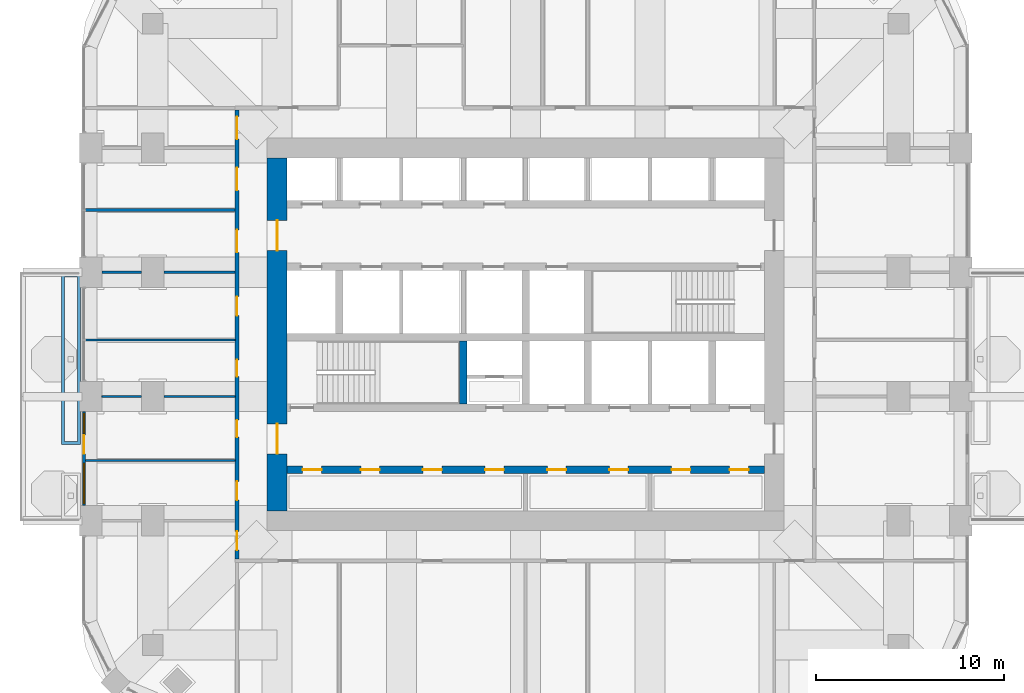
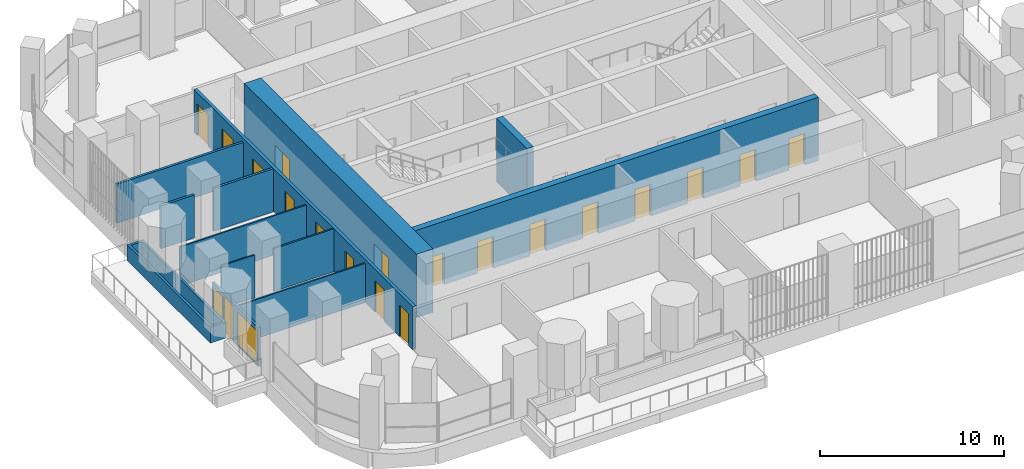
# One storey, part 12 of 20: 19 doors, 13 walls, 2 windows, 21 openings.
"""IFC4 building model written with IfcOpenShell, lengths in metres."""

from ifc_helpers import new_model, si_unit, direction, frame, frame_2d, origin, place, context, subcontext, project, spatial, polyline, rectangle, outline, extrude, material, layer, layer_set, type_object, element, fill, save


model = new_model("IFC4")

# Units and contexts
model_context = context("Model", 3, precision=1e-05, world=origin(), true_north=direction((0.0, 1.0)))
body_context = subcontext(model_context, "Body", "Model", "MODEL_VIEW")
ifc_project = project(units=[si_unit("LENGTHUNIT", "METRE"), si_unit("AREAUNIT", "SQUARE_METRE"), si_unit("VOLUMEUNIT", "CUBIC_METRE"), si_unit("PLANEANGLEUNIT", "RADIAN"), si_unit("MASSUNIT", "GRAM", prefix="KILO")], contexts=[model_context])

# Site, building, storey
site_placement = place(None, origin())
site = spatial("IfcSite", under=ifc_project, at=site_placement, CompositionType="ELEMENT")
building_placement = place(site_placement, origin())
building = spatial("IfcBuilding", under=site, at=building_placement, Name="Cobogo Forest Laboratory Tower", CompositionType="ELEMENT")
storey_placement = place(building_placement, frame((0.0, 0.0, 210.300048828125)))
storey = spatial("IfcBuildingStorey", under=building, at=storey_placement, Name="L48", CompositionType="ELEMENT", Elevation=210.300048828125)

# Wall, openings, doors
ifc_material_1 = material(Name="Concrete HA-50 (C50/60)", Category="concrete")
ifc_layer_1 = layer(ifc_material_1, 0.39990234375)
ifc_layer_set_1 = layer_set([ifc_layer_1], Name="CI400 core inner wall 400")
wall_type_1 = type_object("IfcWallType", Name="CI400 core inner wall 400", PredefinedType="SHEAR", material=ifc_layer_set_1)
wall_1_placement = place(storey_placement, frame((13.72509765625, 15.89990234375, 0.0), z_axis=(0.0, 0.0, 1.0), x_axis=(1.0, 0.0, 0.0)))
wall_1 = element("IfcWall", 1, at=wall_1_placement, inside=storey, type_object=wall_type_1, Name="Core wall CI-15.9 L48", PredefinedType="SHEAR", context=body_context, shape_type="SweptSolid", body=[
    extrude(rectangle(XDim=25.349853515625, YDim=0.39990234375, at=frame_2d((12.6748046875, 0.0))), origin(), (0.0, 0.0, 1.0), 4.199951171875),
])
opening_1_placement = place(wall_1_placement, frame((0.83740234375, 0.0, 0.0)))
opening_1 = element("IfcOpeningElement", 2, at=opening_1_placement, cuts=wall_1, Name="Opening L48-D10", PredefinedType="OPENING", context=body_context, shape_type="SweptSolid", body=[
    extrude(rectangle(XDim=1.0, YDim=2.10009765625, at=frame_2d((0.5, 1.050048828125))), frame((0.0, 0.2099609375, 0.0), z_axis=(0.0, -1.0, 0.0), x_axis=(1.0, 0.0, 0.0)), (0.0, 0.0, 1.0), 0.419921875),
])
opening_2_placement = place(wall_1_placement, frame((3.925048828125, 0.0, 0.0)))
opening_2 = element("IfcOpeningElement", 3, at=opening_2_placement, cuts=wall_1, Name="Opening L48-D11", PredefinedType="OPENING", context=body_context, shape_type="SweptSolid", body=[
    extrude(rectangle(XDim=1.0, YDim=2.10009765625, at=frame_2d((0.5, 1.050048828125))), frame((0.0, 0.2099609375, 0.0), z_axis=(0.0, -1.0, 0.0), x_axis=(1.0, 0.0, 0.0)), (0.0, 0.0, 1.0), 0.419921875),
])
opening_3_placement = place(wall_1_placement, frame((7.22509765625, 0.0, 0.0)))
opening_3 = element("IfcOpeningElement", 4, at=opening_3_placement, cuts=wall_1, Name="Opening L48-D12", PredefinedType="OPENING", context=body_context, shape_type="SweptSolid", body=[
    extrude(rectangle(XDim=1.0, YDim=2.10009765625, at=frame_2d((0.5, 1.050048828125))), frame((0.0, 0.2099609375, 0.0), z_axis=(0.0, -1.0, 0.0), x_axis=(1.0, 0.0, 0.0)), (0.0, 0.0, 1.0), 0.419921875),
])
opening_4_placement = place(wall_1_placement, frame((10.52490234375, 0.0, 0.0)))
opening_4 = element("IfcOpeningElement", 5, at=opening_4_placement, cuts=wall_1, Name="Opening L48-D13", PredefinedType="OPENING", context=body_context, shape_type="SweptSolid", body=[
    extrude(rectangle(XDim=1.0, YDim=2.10009765625, at=frame_2d((0.5, 1.050048828125))), frame((0.0, 0.2099609375, 0.0), z_axis=(0.0, -1.0, 0.0), x_axis=(1.0, 0.0, 0.0)), (0.0, 0.0, 1.0), 0.419921875),
])
opening_5_placement = place(wall_1_placement, frame((13.824951171875, 0.0, 0.0)))
opening_5 = element("IfcOpeningElement", 6, at=opening_5_placement, cuts=wall_1, Name="Opening L48-D14", PredefinedType="OPENING", context=body_context, shape_type="SweptSolid", body=[
    extrude(rectangle(XDim=1.0, YDim=2.10009765625, at=frame_2d((0.5, 1.050048828125))), frame((0.0, 0.2099609375, 0.0), z_axis=(0.0, -1.0, 0.0), x_axis=(1.0, 0.0, 0.0)), (0.0, 0.0, 1.0), 0.419921875),
])
opening_6_placement = place(wall_1_placement, frame((17.125, 0.0, 0.0)))
opening_6 = element("IfcOpeningElement", 7, at=opening_6_placement, cuts=wall_1, Name="Opening L48-D15", PredefinedType="OPENING", context=body_context, shape_type="SweptSolid", body=[
    extrude(rectangle(XDim=1.0, YDim=2.10009765625, at=frame_2d((0.5, 1.050048828125))), frame((0.0, 0.2099609375, 0.0), z_axis=(0.0, -1.0, 0.0), x_axis=(1.0, 0.0, 0.0)), (0.0, 0.0, 1.0), 0.419921875),
])
opening_7_placement = place(wall_1_placement, frame((20.425048828125, 0.0, 0.0)))
opening_7 = element("IfcOpeningElement", 8, at=opening_7_placement, cuts=wall_1, Name="Opening L48-D16", PredefinedType="OPENING", context=body_context, shape_type="SweptSolid", body=[
    extrude(rectangle(XDim=1.0, YDim=2.10009765625, at=frame_2d((0.5, 1.050048828125))), frame((0.0, 0.2099609375, 0.0), z_axis=(0.0, -1.0, 0.0), x_axis=(1.0, 0.0, 0.0)), (0.0, 0.0, 1.0), 0.419921875),
])
opening_8_placement = place(wall_1_placement, frame((23.512451171875, 0.0, 0.0)))
opening_8 = element("IfcOpeningElement", 9, at=opening_8_placement, cuts=wall_1, Name="Opening L48-D17", PredefinedType="OPENING", context=body_context, shape_type="SweptSolid", body=[
    extrude(rectangle(XDim=1.0, YDim=2.10009765625, at=frame_2d((0.5, 1.050048828125))), frame((0.0, 0.2099609375, 0.0), z_axis=(0.0, -1.0, 0.0), x_axis=(1.0, 0.0, 0.0)), (0.0, 0.0, 1.0), 0.419921875),
])
ifc_material_2 = material(Name="Steel fire door", Category="steel")
door_type_1 = type_object("IfcDoorType", Name="FD1 fire door 1000 EI2 60", OperationType="SINGLE_SWING_LEFT", PredefinedType="DOOR", material=ifc_material_2)
door_1_placement = place(opening_1_placement, origin())
door_1 = element("IfcDoor", 10, at=door_1_placement, inside=storey, type_object=door_type_1, Name="Door L48-SH-LA1", OperationType="SINGLE_SWING_LEFT", OverallHeight=2.10009765625, OverallWidth=1.0, PredefinedType="DOOR", context=body_context, shape_type="SweptSolid", body=[
    extrude(rectangle(XDim=1.0, YDim=2.10009765625, at=frame_2d((0.5, 1.050048828125))), frame((0.0, 0.02490234375, 0.0), z_axis=(0.0, -1.0, 0.0), x_axis=(1.0, 0.0, 0.0)), (0.0, 0.0, 1.0), 0.050048828125),
])
fill(opening_1, door_1)
door_2_placement = place(opening_2_placement, origin())
door_2 = element("IfcDoor", 11, at=door_2_placement, inside=storey, type_object=door_type_1, Name="Door L48-SH-LA2", OperationType="SINGLE_SWING_LEFT", OverallHeight=2.10009765625, OverallWidth=1.0, PredefinedType="DOOR", context=body_context, shape_type="SweptSolid", body=[
    extrude(rectangle(XDim=1.0, YDim=2.10009765625, at=frame_2d((0.5, 1.050048828125))), frame((0.0, 0.02490234375, 0.0), z_axis=(0.0, -1.0, 0.0), x_axis=(1.0, 0.0, 0.0)), (0.0, 0.0, 1.0), 0.050048828125),
])
fill(opening_2, door_2)
door_3_placement = place(opening_3_placement, origin())
door_3 = element("IfcDoor", 12, at=door_3_placement, inside=storey, type_object=door_type_1, Name="Door L48-SH-LA3", OperationType="SINGLE_SWING_LEFT", OverallHeight=2.10009765625, OverallWidth=1.0, PredefinedType="DOOR", context=body_context, shape_type="SweptSolid", body=[
    extrude(rectangle(XDim=1.0, YDim=2.10009765625, at=frame_2d((0.5, 1.050048828125))), frame((0.0, 0.02490234375, 0.0), z_axis=(0.0, -1.0, 0.0), x_axis=(1.0, 0.0, 0.0)), (0.0, 0.0, 1.0), 0.050048828125),
])
fill(opening_3, door_3)
door_4_placement = place(opening_4_placement, origin())
door_4 = element("IfcDoor", 13, at=door_4_placement, inside=storey, type_object=door_type_1, Name="Door L48-SH-LA4", OperationType="SINGLE_SWING_LEFT", OverallHeight=2.10009765625, OverallWidth=1.0, PredefinedType="DOOR", context=body_context, shape_type="SweptSolid", body=[
    extrude(rectangle(XDim=1.0, YDim=2.10009765625, at=frame_2d((0.5, 1.050048828125))), frame((0.0, 0.02490234375, 0.0), z_axis=(0.0, -1.0, 0.0), x_axis=(1.0, 0.0, 0.0)), (0.0, 0.0, 1.0), 0.050048828125),
])
fill(opening_4, door_4)
door_5_placement = place(opening_5_placement, origin())
door_5 = element("IfcDoor", 14, at=door_5_placement, inside=storey, type_object=door_type_1, Name="Door L48-SH-LB1", OperationType="SINGLE_SWING_RIGHT", OverallHeight=2.10009765625, OverallWidth=1.0, PredefinedType="DOOR", context=body_context, shape_type="SweptSolid", body=[
    extrude(rectangle(XDim=1.0, YDim=2.10009765625, at=frame_2d((0.5, 1.050048828125))), frame((0.0, 0.02490234375, 0.0), z_axis=(0.0, -1.0, 0.0), x_axis=(1.0, 0.0, 0.0)), (0.0, 0.0, 1.0), 0.050048828125),
])
fill(opening_5, door_5)
door_6_placement = place(opening_6_placement, origin())
door_6 = element("IfcDoor", 15, at=door_6_placement, inside=storey, type_object=door_type_1, Name="Door L48-SH-LB2", OperationType="SINGLE_SWING_RIGHT", OverallHeight=2.10009765625, OverallWidth=1.0, PredefinedType="DOOR", context=body_context, shape_type="SweptSolid", body=[
    extrude(rectangle(XDim=1.0, YDim=2.10009765625, at=frame_2d((0.5, 1.050048828125))), frame((0.0, 0.02490234375, 0.0), z_axis=(0.0, -1.0, 0.0), x_axis=(1.0, 0.0, 0.0)), (0.0, 0.0, 1.0), 0.050048828125),
])
fill(opening_6, door_6)
door_7_placement = place(opening_7_placement, origin())
door_7 = element("IfcDoor", 16, at=door_7_placement, inside=storey, type_object=door_type_1, Name="Door L48-SH-LB3", OperationType="SINGLE_SWING_RIGHT", OverallHeight=2.10009765625, OverallWidth=1.0, PredefinedType="DOOR", context=body_context, shape_type="SweptSolid", body=[
    extrude(rectangle(XDim=1.0, YDim=2.10009765625, at=frame_2d((0.5, 1.050048828125))), frame((0.0, 0.02490234375, 0.0), z_axis=(0.0, -1.0, 0.0), x_axis=(1.0, 0.0, 0.0)), (0.0, 0.0, 1.0), 0.050048828125),
])
fill(opening_7, door_7)
door_8_placement = place(opening_8_placement, origin())
door_8 = element("IfcDoor", 17, at=door_8_placement, inside=storey, type_object=door_type_1, Name="Door L48-SH-LB4", OperationType="SINGLE_SWING_RIGHT", OverallHeight=2.10009765625, OverallWidth=1.0, PredefinedType="DOOR", context=body_context, shape_type="SweptSolid", body=[
    extrude(rectangle(XDim=1.0, YDim=2.10009765625, at=frame_2d((0.5, 1.050048828125))), frame((0.0, 0.02490234375, 0.0), z_axis=(0.0, -1.0, 0.0), x_axis=(1.0, 0.0, 0.0)), (0.0, 0.0, 1.0), 0.050048828125),
])
fill(opening_8, door_8)

# Wall
wall_2_placement = place(storey_placement, frame((23.10009765625, 19.39990234375, 0.0), z_axis=(0.0, 0.0, 1.0), x_axis=(0.0, 1.0, 0.0)))
element("IfcWall", 18, at=wall_2_placement, inside=storey, type_object=wall_type_1, Name="Core wall CX-23.1 L48", PredefinedType="SHEAR", context=body_context, shape_type="SweptSolid", body=[
    extrude(rectangle(XDim=3.35009765625, YDim=0.39990234375, at=frame_2d((1.675048828125, 0.0))), origin(), (0.0, 0.0, 1.0), 4.199951171875),
])

# Wall, openings, doors
ifc_layer_2 = layer(ifc_material_1, 1.050048828125)
ifc_layer_set_2 = layer_set([ifc_layer_2], Name="CW1050 core outer wall 1050")
wall_type_2 = type_object("IfcWallType", Name="CW1050 core outer wall 1050", PredefinedType="SHEAR", material=ifc_layer_set_2)
wall_3_placement = place(storey_placement, frame((13.199951171875, 32.47509765625, 0.0), z_axis=(0.0, 0.0, 1.0), x_axis=(0.0, -1.0, 0.0)))
wall_3 = element("IfcWall", 19, at=wall_3_placement, inside=storey, type_object=wall_type_2, Name="Core wall CO-W L48", PredefinedType="SHEAR", context=body_context, shape_type="SweptSolid", body=[
    extrude(rectangle(XDim=18.75, YDim=1.050048828125, at=frame_2d((9.375, 0.0))), origin(), (0.0, 0.0, 1.0), 4.199951171875),
])
opening_9_placement = place(wall_3_placement, frame((14.125, 0.0, 0.0)))
opening_9 = element("IfcOpeningElement", 20, at=opening_9_placement, cuts=wall_3, Name="Opening L48-D20", PredefinedType="OPENING", context=body_context, shape_type="SweptSolid", body=[
    extrude(rectangle(XDim=1.60009765625, YDim=2.10009765625, at=frame_2d((0.800048828125, 1.050048828125))), frame((0.0, 0.534912109375, 0.0), z_axis=(0.0, -1.0, 0.0), x_axis=(1.0, 0.0, 0.0)), (0.0, 0.0, 1.0), 1.070068359375),
])
opening_10_placement = place(wall_3_placement, frame((3.324951171875, 0.0, 0.0)))
opening_10 = element("IfcOpeningElement", 21, at=opening_10_placement, cuts=wall_3, Name="Opening L48-D33", PredefinedType="OPENING", context=body_context, shape_type="SweptSolid", body=[
    extrude(rectangle(XDim=1.60009765625, YDim=2.10009765625, at=frame_2d((0.800048828125, 1.050048828125))), frame((0.0, 0.534912109375, 0.0), z_axis=(0.0, -1.0, 0.0), x_axis=(1.0, 0.0, 0.0)), (0.0, 0.0, 1.0), 1.070068359375),
])
door_type_2 = type_object("IfcDoorType", Name="DS2 protected lobby door pair 1600 EI2 60", OperationType="DOUBLE_DOOR_DOUBLE_SWING", PredefinedType="DOOR", material=ifc_material_2)
door_9_placement = place(opening_9_placement, origin())
door_9 = element("IfcDoor", 22, at=door_9_placement, inside=storey, type_object=door_type_2, Name="Door L48-CO-W-S", OperationType="DOUBLE_DOOR_DOUBLE_SWING", OverallHeight=2.10009765625, OverallWidth=1.60009765625, PredefinedType="DOOR", context=body_context, shape_type="SweptSolid", body=[
    extrude(rectangle(XDim=1.60009765625, YDim=2.10009765625, at=frame_2d((0.800048828125, 1.050048828125))), frame((0.0, 0.02490234375, 0.0), z_axis=(0.0, -1.0, 0.0), x_axis=(1.0, 0.0, 0.0)), (0.0, 0.0, 1.0), 0.050048828125),
])
fill(opening_9, door_9)
door_10_placement = place(opening_10_placement, origin())
door_10 = element("IfcDoor", 23, at=door_10_placement, inside=storey, type_object=door_type_2, Name="Door L48-CO-W-N", OperationType="DOUBLE_DOOR_DOUBLE_SWING", OverallHeight=2.10009765625, OverallWidth=1.60009765625, PredefinedType="DOOR", context=body_context, shape_type="SweptSolid", body=[
    extrude(rectangle(XDim=1.60009765625, YDim=2.10009765625, at=frame_2d((0.800048828125, 1.050048828125))), frame((0.0, 0.02490234375, 0.0), z_axis=(0.0, -1.0, 0.0), x_axis=(1.0, 0.0, 0.0)), (0.0, 0.0, 1.0), 0.050048828125),
])
fill(opening_10, door_10)

# Wall, openings, door, windows
ifc_material_3 = material(Name="Aluminium framed glazed screen", Category="aluminium")
ifc_layer_3 = layer(ifc_material_3, 0.14990234375)
ifc_layer_set_3 = layer_set([ifc_layer_3], Name="GS1 glazed door screen 150")
wall_type_3 = type_object("IfcWallType", Name="GS1 glazed door screen 150", PredefinedType="SOLIDWALL", material=ifc_layer_set_3)
wall_4_placement = place(storey_placement, frame((2.949951171875, 19.0, 0.0), z_axis=(0.0, 0.0, 1.0), x_axis=(0.0, -1.0, 0.0)))
wall_4 = element("IfcWall", 24, at=wall_4_placement, inside=storey, type_object=wall_type_3, Name="Door screen BAL-W1 L48", PredefinedType="SOLIDWALL", context=body_context, shape_type="SweptSolid", body=[
    extrude(rectangle(XDim=5.0, YDim=0.14990234375, at=frame_2d((2.5, 0.0))), origin(), (0.0, 0.0, 1.0), 2.599853515625),
])
opening_11_placement = place(wall_4_placement, frame((1.25, 0.0, 0.0)))
opening_11 = element("IfcOpeningElement", 25, at=opening_11_placement, cuts=wall_4, Name="Opening L48-D18", PredefinedType="OPENING", context=body_context, shape_type="SweptSolid", body=[
    extrude(rectangle(XDim=1.0, YDim=2.39990234375, at=frame_2d((0.5, 1.199951171875))), frame((0.0, 0.0849609375, 0.0), z_axis=(0.0, -1.0, 0.0), x_axis=(1.0, 0.0, 0.0)), (0.0, 0.0, 1.0), 0.169921875),
])
opening_12_placement = place(wall_4_placement, frame((0.10009765625, 0.0, 0.10009765625)))
opening_12 = element("IfcOpeningElement", 26, at=opening_12_placement, cuts=wall_4, Name="Opening L48-W05", PredefinedType="OPENING", context=body_context, shape_type="SweptSolid", body=[
    extrude(rectangle(XDim=1.050048828125, YDim=2.199951171875, at=frame_2d((0.52490234375, 1.10009765625))), frame((0.0, 0.0849609375, 0.0), z_axis=(0.0, -1.0, 0.0), x_axis=(1.0, 0.0, 0.0)), (0.0, 0.0, 1.0), 0.169921875),
])
opening_13_placement = place(wall_4_placement, frame((2.75, 0.0, 0.10009765625)))
opening_13 = element("IfcOpeningElement", 27, at=opening_13_placement, cuts=wall_4, Name="Opening L48-W03", PredefinedType="OPENING", context=body_context, shape_type="SweptSolid", body=[
    extrude(rectangle(XDim=2.14990234375, YDim=2.199951171875, at=frame_2d((1.074951171875, 1.10009765625))), frame((0.0, 0.0849609375, 0.0), z_axis=(0.0, -1.0, 0.0), x_axis=(1.0, 0.0, 0.0)), (0.0, 0.0, 1.0), 0.169921875),
])
ifc_material_4 = material(Name="Aluminium glazed door", Category="aluminium")
door_type_3 = type_object("IfcDoorType", Name="DB1 balcony door 1000 glazed", OperationType="SINGLE_SWING_LEFT", PredefinedType="DOOR", material=ifc_material_4)
door_11_placement = place(opening_11_placement, origin())
door_11 = element("IfcDoor", 28, at=door_11_placement, inside=storey, type_object=door_type_3, Name="Door L48-BAL-W1", OperationType="SINGLE_SWING_LEFT", OverallHeight=2.39990234375, OverallWidth=1.0, PredefinedType="DOOR", context=body_context, shape_type="SweptSolid", body=[
    extrude(rectangle(XDim=1.0, YDim=2.39990234375, at=frame_2d((0.5, 1.199951171875))), frame((0.0, 0.02490234375, 0.0), z_axis=(0.0, -1.0, 0.0), x_axis=(1.0, 0.0, 0.0)), (0.0, 0.0, 1.0), 0.050048828125),
])
fill(opening_11, door_11)
ifc_material_5 = material(Name="Aluminium framed glazing", Category="aluminium")
window_type_1 = type_object("IfcWindowType", Name="WG17 fixed glazed light 2150x2200", PartitioningType="SINGLE_PANEL", PredefinedType="WINDOW", material=ifc_material_5)
window_1_placement = place(opening_13_placement, origin())
window_1 = element("IfcWindow", 29, at=window_1_placement, inside=storey, type_object=window_type_1, Name="Window L48-BAL-W1-2", OverallHeight=2.199951171875, OverallWidth=2.14990234375, PartitioningType="SINGLE_PANEL", PredefinedType="WINDOW", context=body_context, shape_type="SweptSolid", body=[
    extrude(rectangle(XDim=2.14990234375, YDim=2.199951171875, at=frame_2d((1.074951171875, 1.10009765625))), frame((0.0, 0.030029296875, 0.0), z_axis=(0.0, -1.0, 0.0), x_axis=(1.0, 0.0, 0.0)), (0.0, 0.0, 1.0), 0.06005859375),
])
fill(opening_13, window_1)
window_type_2 = type_object("IfcWindowType", Name="WG18 fixed glazed light 1050x2200", PartitioningType="SINGLE_PANEL", PredefinedType="WINDOW", material=ifc_material_5)
window_2_placement = place(opening_12_placement, origin())
window_2 = element("IfcWindow", 30, at=window_2_placement, inside=storey, type_object=window_type_2, Name="Window L48-BAL-W1-1", OverallHeight=2.199951171875, OverallWidth=1.050048828125, PartitioningType="SINGLE_PANEL", PredefinedType="WINDOW", context=body_context, shape_type="SweptSolid", body=[
    extrude(rectangle(XDim=1.050048828125, YDim=2.199951171875, at=frame_2d((0.52490234375, 1.10009765625))), frame((0.0, 0.030029296875, 0.0), z_axis=(0.0, -1.0, 0.0), x_axis=(1.0, 0.0, 0.0)), (0.0, 0.0, 1.0), 0.06005859375),
])
fill(opening_12, window_2)

# Walls
ifc_material_6 = material(Name="Gypsum board on steel studs", Category="steel")
ifc_layer_4 = layer(ifc_material_6, 0.14990234375)
ifc_layer_set_4 = layer_set([ifc_layer_4], Name="PT1 laboratory partition 150")
wall_type_4 = type_object("IfcWallType", Name="PT1 laboratory partition 150", PredefinedType="PARTITIONING", material=ifc_layer_set_4)
wall_5_placement = place(storey_placement, frame((3.89990234375, 26.39990234375, 0.0), z_axis=(0.0, 0.0, 1.0), x_axis=(1.0, 0.0, 0.0)))
element("IfcWall", 31, at=wall_5_placement, inside=storey, type_object=wall_type_4, Name="Partition CUT-W26.4-1 L48", PredefinedType="PARTITIONING", context=body_context, shape_type="SweptSolid", body=[
    extrude(rectangle(XDim=2.10009765625, YDim=0.14990234375, at=frame_2d((1.050048828125, 0.0))), origin(), (0.0, 0.0, 1.0), 2.849853515625),
])
wall_6_placement = place(storey_placement, frame((7.199951171875, 26.39990234375, 0.0), z_axis=(0.0, 0.0, 1.0), x_axis=(1.0, 0.0, 0.0)))
element("IfcWall", 32, at=wall_6_placement, inside=storey, type_object=wall_type_4, Name="Partition CUT-W26.4-2 L48", PredefinedType="PARTITIONING", context=body_context, shape_type="SweptSolid", body=[
    extrude(rectangle(XDim=3.775146484375, YDim=0.14990234375, at=frame_2d((1.8876953125, 0.0))), origin(), (0.0, 0.0, 1.0), 2.849853515625),
])
wall_7_placement = place(storey_placement, frame((3.030029296875, 29.699951171875, 0.0), z_axis=(0.0, 0.0, 1.0), x_axis=(1.0, 0.0, 0.0)))
element("IfcWall", 33, at=wall_7_placement, inside=storey, type_object=wall_type_4, Name="Partition CUT-W29.7-1 L48", PredefinedType="PARTITIONING", context=body_context, shape_type="SweptSolid", body=[
    extrude(rectangle(XDim=7.945068359375, YDim=0.14990234375, at=frame_2d((3.97265625, 0.0))), origin(), (0.0, 0.0, 1.0), 2.599853515625),
])

# Wall, openings, doors
ifc_layer_5 = layer(ifc_material_6, 0.199951171875)
ifc_layer_set_5 = layer_set([ifc_layer_5], Name="PT2 fire-rated corridor partition 200")
wall_type_5 = type_object("IfcWallType", Name="PT2 fire-rated corridor partition 200", PredefinedType="PARTITIONING", material=ifc_layer_set_5)
wall_8_placement = place(storey_placement, frame((11.074951171875, 11.175048828125, 0.0), z_axis=(0.0, 0.0, 1.0), x_axis=(0.0, 1.0, 0.0)))
wall_8 = element("IfcWall", 34, at=wall_8_placement, inside=storey, type_object=wall_type_5, Name="Partition CORR-W L48", PredefinedType="PARTITIONING", context=body_context, shape_type="SweptSolid", body=[
    extrude(rectangle(XDim=23.849853515625, YDim=0.199951171875, at=frame_2d((11.9248046875, 0.0))), origin(), (0.0, 0.0, 1.0), 2.849853515625),
])
opening_14_placement = place(wall_8_placement, frame((0.46240234375, 0.0, 0.0)))
opening_14 = element("IfcOpeningElement", 35, at=opening_14_placement, cuts=wall_8, Name="Opening L48-D07", PredefinedType="OPENING", context=body_context, shape_type="SweptSolid", body=[
    extrude(rectangle(XDim=1.0, YDim=2.10009765625, at=frame_2d((0.5, 1.050048828125))), frame((0.0, 0.10986328125, 0.0), z_axis=(0.0, -1.0, 0.0), x_axis=(1.0, 0.0, 0.0)), (0.0, 0.0, 1.0), 0.219970703125),
])
opening_15_placement = place(wall_8_placement, frame((3.125, 0.0, 0.0)))
opening_15 = element("IfcOpeningElement", 36, at=opening_15_placement, cuts=wall_8, Name="Opening L48-D08", PredefinedType="OPENING", context=body_context, shape_type="SweptSolid", body=[
    extrude(rectangle(XDim=1.0, YDim=2.10009765625, at=frame_2d((0.5, 1.050048828125))), frame((0.0, 0.10986328125, 0.0), z_axis=(0.0, -1.0, 0.0), x_axis=(1.0, 0.0, 0.0)), (0.0, 0.0, 1.0), 0.219970703125),
])
opening_16_placement = place(wall_8_placement, frame((6.47509765625, 0.0, 0.0)))
opening_16 = element("IfcOpeningElement", 37, at=opening_16_placement, cuts=wall_8, Name="Opening L48-D22", PredefinedType="OPENING", context=body_context, shape_type="SweptSolid", body=[
    extrude(rectangle(XDim=0.89990234375, YDim=2.10009765625, at=frame_2d((0.449951171875, 1.050048828125))), frame((0.0, 0.10986328125, 0.0), z_axis=(0.0, -1.0, 0.0), x_axis=(1.0, 0.0, 0.0)), (0.0, 0.0, 1.0), 0.219970703125),
])
opening_17_placement = place(wall_8_placement, frame((9.675048828125, 0.0, 0.0)))
opening_17 = element("IfcOpeningElement", 38, at=opening_17_placement, cuts=wall_8, Name="Opening L48-D27", PredefinedType="OPENING", context=body_context, shape_type="SweptSolid", body=[
    extrude(rectangle(XDim=0.89990234375, YDim=2.10009765625, at=frame_2d((0.449951171875, 1.050048828125))), frame((0.0, 0.10986328125, 0.0), z_axis=(0.0, -1.0, 0.0), x_axis=(1.0, 0.0, 0.0)), (0.0, 0.0, 1.0), 0.219970703125),
])
opening_18_placement = place(wall_8_placement, frame((12.925048828125, 0.0, 0.0)))
opening_18 = element("IfcOpeningElement", 39, at=opening_18_placement, cuts=wall_8, Name="Opening L48-D29", PredefinedType="OPENING", context=body_context, shape_type="SweptSolid", body=[
    extrude(rectangle(XDim=1.0, YDim=2.10009765625, at=frame_2d((0.5, 1.050048828125))), frame((0.0, 0.10986328125, 0.0), z_axis=(0.0, -1.0, 0.0), x_axis=(1.0, 0.0, 0.0)), (0.0, 0.0, 1.0), 0.219970703125),
])
opening_19_placement = place(wall_8_placement, frame((16.27490234375, 0.0, 0.0)))
opening_19 = element("IfcOpeningElement", 40, at=opening_19_placement, cuts=wall_8, Name="Opening L48-D32", PredefinedType="OPENING", context=body_context, shape_type="SweptSolid", body=[
    extrude(rectangle(XDim=1.199951171875, YDim=2.10009765625, at=frame_2d((0.60009765625, 1.050048828125))), frame((0.0, 0.10986328125, 0.0), z_axis=(0.0, -1.0, 0.0), x_axis=(1.0, 0.0, 0.0)), (0.0, 0.0, 1.0), 0.219970703125),
])
opening_20_placement = place(wall_8_placement, frame((19.574951171875, 0.0, 0.0)))
opening_20 = element("IfcOpeningElement", 41, at=opening_20_placement, cuts=wall_8, Name="Opening L48-D36", PredefinedType="OPENING", context=body_context, shape_type="SweptSolid", body=[
    extrude(rectangle(XDim=1.199951171875, YDim=2.10009765625, at=frame_2d((0.60009765625, 1.050048828125))), frame((0.0, 0.10986328125, 0.0), z_axis=(0.0, -1.0, 0.0), x_axis=(1.0, 0.0, 0.0)), (0.0, 0.0, 1.0), 0.219970703125),
])
opening_21_placement = place(wall_8_placement, frame((22.28759765625, 0.0, 0.0)))
opening_21 = element("IfcOpeningElement", 42, at=opening_21_placement, cuts=wall_8, Name="Opening L48-D37", PredefinedType="OPENING", context=body_context, shape_type="SweptSolid", body=[
    extrude(rectangle(XDim=1.199951171875, YDim=2.10009765625, at=frame_2d((0.60009765625, 1.050048828125))), frame((0.0, 0.10986328125, 0.0), z_axis=(0.0, -1.0, 0.0), x_axis=(1.0, 0.0, 0.0)), (0.0, 0.0, 1.0), 0.219970703125),
])
ifc_material_7 = material(Name="Timber door", Category="wood")
door_type_4 = type_object("IfcDoorType", Name="D2 laboratory door 1200 unequal pair", OperationType="DOUBLE_DOOR_SINGLE_SWING", PredefinedType="DOOR", material=ifc_material_7)
door_12_placement = place(opening_19_placement, origin())
door_12 = element("IfcDoor", 43, at=door_12_placement, inside=storey, type_object=door_type_4, Name="Door L48-W3", OperationType="DOUBLE_DOOR_SINGLE_SWING", OverallHeight=2.10009765625, OverallWidth=1.199951171875, PredefinedType="DOOR", context=body_context, shape_type="SweptSolid", body=[
    extrude(rectangle(XDim=1.199951171875, YDim=2.10009765625, at=frame_2d((0.60009765625, 1.050048828125))), frame((0.0, 0.02490234375, 0.0), z_axis=(0.0, -1.0, 0.0), x_axis=(1.0, 0.0, 0.0)), (0.0, 0.0, 1.0), 0.050048828125),
])
fill(opening_19, door_12)
door_13_placement = place(opening_20_placement, origin())
door_13 = element("IfcDoor", 44, at=door_13_placement, inside=storey, type_object=door_type_4, Name="Door L48-W4", OperationType="DOUBLE_DOOR_SINGLE_SWING", OverallHeight=2.10009765625, OverallWidth=1.199951171875, PredefinedType="DOOR", context=body_context, shape_type="SweptSolid", body=[
    extrude(rectangle(XDim=1.199951171875, YDim=2.10009765625, at=frame_2d((0.60009765625, 1.050048828125))), frame((0.0, 0.02490234375, 0.0), z_axis=(0.0, -1.0, 0.0), x_axis=(1.0, 0.0, 0.0)), (0.0, 0.0, 1.0), 0.050048828125),
])
fill(opening_20, door_13)
door_14_placement = place(opening_21_placement, origin())
door_14 = element("IfcDoor", 45, at=door_14_placement, inside=storey, type_object=door_type_4, Name="Door L48-W5", OperationType="DOUBLE_DOOR_SINGLE_SWING", OverallHeight=2.10009765625, OverallWidth=1.199951171875, PredefinedType="DOOR", context=body_context, shape_type="SweptSolid", body=[
    extrude(rectangle(XDim=1.199951171875, YDim=2.10009765625, at=frame_2d((0.60009765625, 1.050048828125))), frame((0.0, 0.02490234375, 0.0), z_axis=(0.0, -1.0, 0.0), x_axis=(1.0, 0.0, 0.0)), (0.0, 0.0, 1.0), 0.050048828125),
])
fill(opening_21, door_14)
ifc_material_8 = material(Name="Timber fire door", Category="wood")
door_type_5 = type_object("IfcDoorType", Name="FD2 fire door 1000 EI2 30", OperationType="SINGLE_SWING_LEFT", PredefinedType="DOOR", material=ifc_material_8)
door_15_placement = place(opening_14_placement, origin())
door_15 = element("IfcDoor", 46, at=door_15_placement, inside=storey, type_object=door_type_5, Name="Door L48-W1", OperationType="SINGLE_SWING_LEFT", OverallHeight=2.10009765625, OverallWidth=1.0, PredefinedType="DOOR", context=body_context, shape_type="SweptSolid", body=[
    extrude(rectangle(XDim=1.0, YDim=2.10009765625, at=frame_2d((0.5, 1.050048828125))), frame((0.0, 0.02490234375, 0.0), z_axis=(0.0, -1.0, 0.0), x_axis=(1.0, 0.0, 0.0)), (0.0, 0.0, 1.0), 0.050048828125),
])
fill(opening_14, door_15)
door_16_placement = place(opening_18_placement, origin())
door_16 = element("IfcDoor", 47, at=door_16_placement, inside=storey, type_object=door_type_5, Name="Door L48-SHW", OperationType="SINGLE_SWING_RIGHT", OverallHeight=2.10009765625, OverallWidth=1.0, PredefinedType="DOOR", context=body_context, shape_type="SweptSolid", body=[
    extrude(rectangle(XDim=1.0, YDim=2.10009765625, at=frame_2d((0.5, 1.050048828125))), frame((0.0, 0.02490234375, 0.0), z_axis=(0.0, -1.0, 0.0), x_axis=(1.0, 0.0, 0.0)), (0.0, 0.0, 1.0), 0.050048828125),
])
fill(opening_18, door_16)
door_type_6 = type_object("IfcDoorType", Name="FD3 toilet fire door 900 EI2 30", OperationType="SINGLE_SWING_LEFT", PredefinedType="DOOR", material=ifc_material_8)
door_17_placement = place(opening_16_placement, origin())
door_17 = element("IfcDoor", 48, at=door_17_placement, inside=storey, type_object=door_type_6, Name="Door L48-WCF", OperationType="SINGLE_SWING_LEFT", OverallHeight=2.10009765625, OverallWidth=0.89990234375, PredefinedType="DOOR", context=body_context, shape_type="SweptSolid", body=[
    extrude(rectangle(XDim=0.89990234375, YDim=2.10009765625, at=frame_2d((0.449951171875, 1.050048828125))), frame((0.0, 0.02490234375, 0.0), z_axis=(0.0, -1.0, 0.0), x_axis=(1.0, 0.0, 0.0)), (0.0, 0.0, 1.0), 0.050048828125),
])
fill(opening_16, door_17)
door_18_placement = place(opening_17_placement, origin())
door_18 = element("IfcDoor", 49, at=door_18_placement, inside=storey, type_object=door_type_6, Name="Door L48-WCM", OperationType="SINGLE_SWING_LEFT", OverallHeight=2.10009765625, OverallWidth=0.89990234375, PredefinedType="DOOR", context=body_context, shape_type="SweptSolid", body=[
    extrude(rectangle(XDim=0.89990234375, YDim=2.10009765625, at=frame_2d((0.449951171875, 1.050048828125))), frame((0.0, 0.02490234375, 0.0), z_axis=(0.0, -1.0, 0.0), x_axis=(1.0, 0.0, 0.0)), (0.0, 0.0, 1.0), 0.050048828125),
])
fill(opening_17, door_18)
door_type_7 = type_object("IfcDoorType", Name="FDA1 accessible toilet fire door 1000 EI2 30", OperationType="SINGLE_SWING_RIGHT", PredefinedType="DOOR", material=ifc_material_8)
door_19_placement = place(opening_15_placement, origin())
door_19 = element("IfcDoor", 50, at=door_19_placement, inside=storey, type_object=door_type_7, Name="Door L48-WCA", OperationType="SINGLE_SWING_LEFT", OverallHeight=2.10009765625, OverallWidth=1.0, PredefinedType="DOOR", context=body_context, shape_type="SweptSolid", body=[
    extrude(rectangle(XDim=1.0, YDim=2.10009765625, at=frame_2d((0.5, 1.050048828125))), frame((0.0, 0.02490234375, 0.0), z_axis=(0.0, -1.0, 0.0), x_axis=(1.0, 0.0, 0.0)), (0.0, 0.0, 1.0), 0.050048828125),
])
fill(opening_15, door_19)

# Walls
ifc_layer_6 = layer(ifc_material_6, 0.10009765625)
ifc_layer_set_6 = layer_set([ifc_layer_6], Name="PT3 toilet partition 100")
wall_type_6 = type_object("IfcWallType", Name="PT3 toilet partition 100", PredefinedType="PARTITIONING", material=ifc_layer_set_6)
wall_9_placement = place(storey_placement, frame((3.030029296875, 16.39990234375, 0.0), z_axis=(0.0, 0.0, 1.0), x_axis=(1.0, 0.0, 0.0)))
element("IfcWall", 51, at=wall_9_placement, inside=storey, type_object=wall_type_6, Name="Partition SVC-W1-1 L48", PredefinedType="PARTITIONING", context=body_context, shape_type="SweptSolid", body=[
    extrude(rectangle(XDim=7.945068359375, YDim=0.10009765625, at=frame_2d((3.97265625, 0.0))), origin(), (0.0, 0.0, 1.0), 2.599853515625),
])
wall_10_placement = place(storey_placement, frame((3.89990234375, 19.800048828125, 0.0), z_axis=(0.0, 0.0, 1.0), x_axis=(1.0, 0.0, 0.0)))
element("IfcWall", 52, at=wall_10_placement, inside=storey, type_object=wall_type_6, Name="Partition SVC-W2-1 L48", PredefinedType="PARTITIONING", context=body_context, shape_type="SweptSolid", body=[
    extrude(rectangle(XDim=2.10009765625, YDim=0.10009765625, at=frame_2d((1.050048828125, 0.0))), origin(), (0.0, 0.0, 1.0), 2.849853515625),
])
wall_11_placement = place(storey_placement, frame((7.199951171875, 19.800048828125, 0.0), z_axis=(0.0, 0.0, 1.0), x_axis=(1.0, 0.0, 0.0)))
element("IfcWall", 53, at=wall_11_placement, inside=storey, type_object=wall_type_6, Name="Partition SVC-W2-2 L48", PredefinedType="PARTITIONING", context=body_context, shape_type="SweptSolid", body=[
    extrude(rectangle(XDim=3.775146484375, YDim=0.10009765625, at=frame_2d((1.8876953125, 0.0))), origin(), (0.0, 0.0, 1.0), 2.849853515625),
])
wall_12_placement = place(storey_placement, frame((3.030029296875, 22.800048828125, 0.0), z_axis=(0.0, 0.0, 1.0), x_axis=(1.0, 0.0, 0.0)))
element("IfcWall", 54, at=wall_12_placement, inside=storey, type_object=wall_type_6, Name="Partition SVC-W3-1 L48", PredefinedType="PARTITIONING", context=body_context, shape_type="SweptSolid", body=[
    extrude(rectangle(XDim=7.945068359375, YDim=0.10009765625, at=frame_2d((3.97265625, 0.0))), origin(), (0.0, 0.0, 1.0), 2.599853515625),
])
ifc_material_9 = material(Name="Concrete HA-40 (C40/50)", Category="concrete")
ifc_layer_7 = layer(ifc_material_9, 0.14990234375)
ifc_layer_set_7 = layer_set([ifc_layer_7], Name="Planter box 1000x1050")
wall_type_7 = type_object("IfcWallType", Name="Planter box 1000x1050", PredefinedType="USERDEFINED", material=ifc_layer_set_7)
wall_13_placement = place(storey_placement, origin())
element("IfcWall", 55, at=wall_13_placement, inside=storey, type_object=wall_type_7, Name="Planter BAL-W1-2 L48", ObjectType="PLANTER", PredefinedType="USERDEFINED", context=body_context, shape_type="SweptSolid", body=[
    extrude(outline(polyline([(1.75, 17.25), (2.75, 17.25), (2.75, 26.300048828125), (1.75, 26.300048828125), (1.75, 17.25)]), holes=[polyline([(1.89990234375, 17.39990234375), (2.60009765625, 17.39990234375), (2.60009765625, 26.14990234375), (1.89990234375, 26.14990234375), (1.89990234375, 17.39990234375)])]), origin(), (0.0, 0.0, 1.0), 1.050048828125),
])

save(model, "model.ifc")
